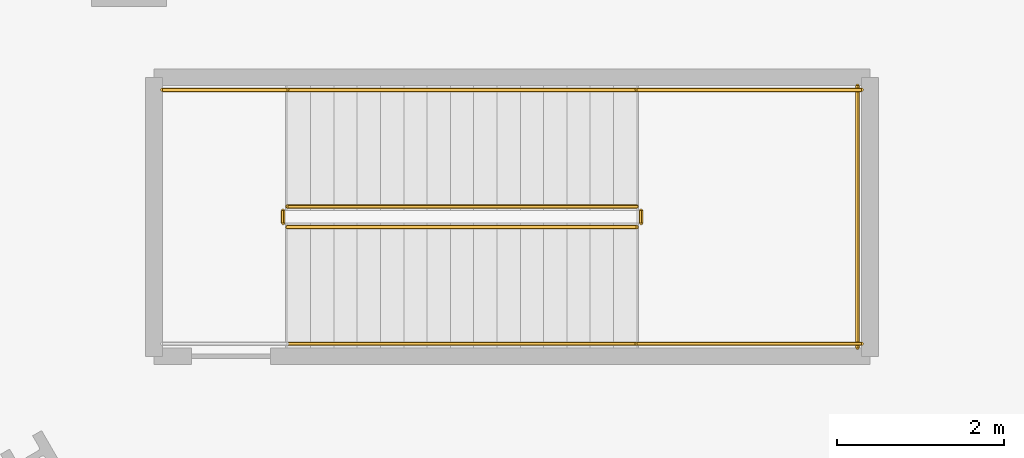
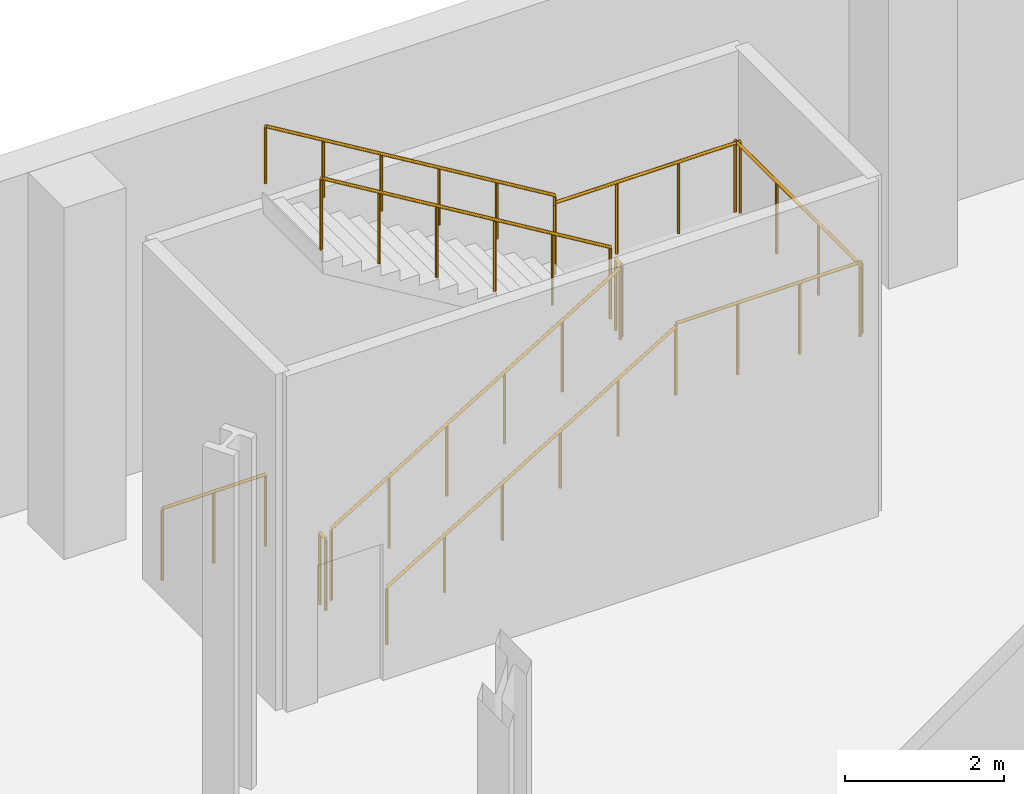
# One storey, part 15 of 16: 10 railings.
"""IFC4 building model written with IfcOpenShell, lengths in metres."""

from ifc_helpers import new_model, si_unit, direction, frame, origin, origin_2d, place, context, subcontext, project, spatial, circle, extrude, material, type_object, element, save


model = new_model("IFC4")

# Units and contexts
model_context = context("Model", 3, precision=1e-05, world=origin(), true_north=direction((0.0, 1.0)))
body_context = subcontext(model_context, "Body", "Model", "MODEL_VIEW")
ifc_project = project(units=[si_unit("LENGTHUNIT", "METRE"), si_unit("AREAUNIT", "SQUARE_METRE"), si_unit("VOLUMEUNIT", "CUBIC_METRE"), si_unit("PLANEANGLEUNIT", "RADIAN"), si_unit("MASSUNIT", "GRAM", prefix="KILO")], contexts=[model_context])

# Site, building, storey
site_placement = place(None, origin())
site = spatial("IfcSite", under=ifc_project, at=site_placement, CompositionType="ELEMENT")
building_placement = place(site_placement, origin())
building = spatial("IfcBuilding", under=site, at=building_placement, Name="Valkerne Bourse Tower", CompositionType="ELEMENT")
storey_placement = place(building_placement, frame((0.0, 0.0, -5.39990234375)))
storey = spatial("IfcBuildingStorey", under=building, at=storey_placement, Name="B1", CompositionType="ELEMENT", Elevation=-5.39990234375)

# Railings
ifc_material_1 = material(Name="Galvanised Painted Steel", Category="steel")
railing_type_1 = type_object("IfcRailingType", Name="RLG-ST-GUARD-1120", PredefinedType="GUARDRAIL", material=ifc_material_1)
railing_1_placement = place(storey_placement, frame((65.699951171875, 50.449951171875, 0.168701171875)))
element("IfcRailing", 1, at=railing_1_placement, inside=storey, type_object=railing_type_1, Name="B1 ST-P2 stair guard 1", PredefinedType="GUARDRAIL", context=body_context, shape_type="SweptSolid", body=[
    extrude(circle(Radius=0.02392578125, at=origin_2d()), frame((0.0, 0.0, 1.09619140625), z_axis=(0.856476492594, 0.0, 0.516186030065), x_axis=(0.0, 1.0, 0.0)), (0.0, 0.0, 1.0), 4.90380859375),
    extrude(circle(Radius=0.02099609375, at=origin_2d()), origin(), (0.0, 0.0, 1.0), 1.072021484375),
    extrude(circle(Radius=0.02099609375, at=origin_2d()), frame((0.840087890625, 0.0, 0.50634765625)), (0.0, 0.0, 1.0), 1.072021484375),
    extrude(circle(Radius=0.02099609375, at=origin_2d()), frame((1.679931640625, 0.0, 1.012451171875)), (0.0, 0.0, 1.0), 1.072021484375),
    extrude(circle(Radius=0.02099609375, at=origin_2d()), frame((2.52001953125, 0.0, 1.518798828125)), (0.0, 0.0, 1.0), 1.072021484375),
    extrude(circle(Radius=0.02099609375, at=origin_2d()), frame((3.35986328125, 0.0, 2.02490234375)), (0.0, 0.0, 1.0), 1.072021484375),
    extrude(circle(Radius=0.02099609375, at=origin_2d()), frame((4.199951171875, 0.0, 2.53125)), (0.0, 0.0, 1.0), 1.072021484375),
])
railing_2_placement = place(storey_placement, frame((69.949951171875, 50.5, 2.699951171875)))
element("IfcRailing", 2, at=railing_2_placement, inside=storey, type_object=railing_type_1, Name="B1 ST-P2 stair guard 2", PredefinedType="GUARDRAIL", context=body_context, shape_type="SweptSolid", body=[
    extrude(circle(Radius=0.02392578125, at=origin_2d()), frame((0.0, 0.0, 1.09619140625), z_axis=(0.0, 1.0, 0.0), x_axis=(-1.0, 0.0, 0.0)), (0.0, 0.0, 1.0), 0.14990234375),
    extrude(circle(Radius=0.02099609375, at=origin_2d()), origin(), (0.0, 0.0, 1.0), 1.072021484375),
    extrude(circle(Radius=0.02099609375, at=origin_2d()), frame((0.0, 0.14990234375, 0.0)), (0.0, 0.0, 1.0), 1.072021484375),
])
for number, where, name in (
    (3, (69.89990234375, 49.050048828125, 2.699951171875), "B1 ST-P2 stair guard 3"),
    (4, (69.89990234375, 52.10009765625, 2.699951171875), "B1 ST-P2 stair guard 4"),
):
    element("IfcRailing", number, at=place(storey_placement, frame(where)), inside=storey, type_object=railing_type_1, Name=name, PredefinedType="GUARDRAIL", context=body_context, shape_type="SweptSolid", body=[
        extrude(circle(Radius=0.02392578125, at=origin_2d()), frame((0.0, 0.0, 1.09619140625), z_axis=(1.0, 0.0, 0.0), x_axis=(0.0, 1.0, 0.0)), (0.0, 0.0, 1.0), 2.7001953125),
        extrude(circle(Radius=0.02099609375, at=origin_2d()), origin(), (0.0, 0.0, 1.0), 1.072021484375),
        extrude(circle(Radius=0.02099609375, at=origin_2d()), frame((0.900146484375, 0.0, 0.0)), (0.0, 0.0, 1.0), 1.072021484375),
        extrude(circle(Radius=0.02099609375, at=origin_2d()), frame((1.800048828125, 0.0, 0.0)), (0.0, 0.0, 1.0), 1.072021484375),
        extrude(circle(Radius=0.02099609375, at=origin_2d()), frame((2.7001953125, 0.0, 0.0)), (0.0, 0.0, 1.0), 1.072021484375),
    ])
railing_3_placement = place(storey_placement, frame((72.550048828125, 49.0, 2.699951171875)))
element("IfcRailing", 5, at=railing_3_placement, inside=storey, type_object=railing_type_1, Name="B1 ST-P2 stair guard 5", PredefinedType="GUARDRAIL", context=body_context, shape_type="SweptSolid", body=[
    extrude(circle(Radius=0.02392578125, at=origin_2d()), frame((0.0, 0.0, 1.09619140625), z_axis=(0.0, 1.0, 0.0), x_axis=(-1.0, 0.0, 0.0)), (0.0, 0.0, 1.0), 3.14990234375),
    extrude(circle(Radius=0.02099609375, at=origin_2d()), origin(), (0.0, 0.0, 1.0), 1.072021484375),
    extrude(circle(Radius=0.02099609375, at=origin_2d()), frame((0.0, 1.050048828125, 0.0)), (0.0, 0.0, 1.0), 1.072021484375),
    extrude(circle(Radius=0.02099609375, at=origin_2d()), frame((0.0, 2.099853515625, 0.0)), (0.0, 0.0, 1.0), 1.072021484375),
    extrude(circle(Radius=0.02099609375, at=origin_2d()), frame((0.0, 3.14990234375, 0.0)), (0.0, 0.0, 1.0), 1.072021484375),
])
railing_4_placement = place(storey_placement, frame((69.89990234375, 50.699951171875, 2.86865234375)))
element("IfcRailing", 6, at=railing_4_placement, inside=storey, type_object=railing_type_1, Name="B1 ST-P2 stair guard 6", PredefinedType="GUARDRAIL", context=body_context, shape_type="SweptSolid", body=[
    extrude(circle(Radius=0.02392578125, at=origin_2d()), frame((0.0, 0.0, 1.09619140625), z_axis=(-0.856476492594, 0.0, 0.516186030065), x_axis=(0.0, -1.0, 0.0)), (0.0, 0.0, 1.0), 4.90380859375),
    extrude(circle(Radius=0.02099609375, at=origin_2d()), origin(), (0.0, 0.0, 1.0), 1.072021484375),
    extrude(circle(Radius=0.02099609375, at=origin_2d()), frame((-0.840087890625, 0.0, 0.50634765625)), (0.0, 0.0, 1.0), 1.072021484375),
    extrude(circle(Radius=0.02099609375, at=origin_2d()), frame((-1.679931640625, 0.0, 1.012451171875)), (0.0, 0.0, 1.0), 1.072021484375),
    extrude(circle(Radius=0.02099609375, at=origin_2d()), frame((-2.52001953125, 0.0, 1.518798828125)), (0.0, 0.0, 1.0), 1.072021484375),
    extrude(circle(Radius=0.02099609375, at=origin_2d()), frame((-3.35986328125, 0.0, 2.02490234375)), (0.0, 0.0, 1.0), 1.072021484375),
    extrude(circle(Radius=0.02099609375, at=origin_2d()), frame((-4.199951171875, 0.0, 2.53125)), (0.0, 0.0, 1.0), 1.072021484375),
])
railing_5_placement = place(storey_placement, frame((65.64990234375, 50.5, 0.0)))
element("IfcRailing", 7, at=railing_5_placement, inside=storey, type_object=railing_type_1, Name="B1 ST-P2 stair guard 7", PredefinedType="GUARDRAIL", context=body_context, shape_type="SweptSolid", body=[
    extrude(circle(Radius=0.02392578125, at=origin_2d()), frame((0.0, 0.0, 1.09619140625), z_axis=(0.0, 1.0, 0.0), x_axis=(-1.0, 0.0, 0.0)), (0.0, 0.0, 1.0), 0.14990234375),
    extrude(circle(Radius=0.02099609375, at=origin_2d()), origin(), (0.0, 0.0, 1.0), 1.072021484375),
    extrude(circle(Radius=0.02099609375, at=origin_2d()), frame((0.0, 0.14990234375, 0.0)), (0.0, 0.0, 1.0), 1.072021484375),
])
railing_6_placement = place(storey_placement, frame((64.199951171875, 52.10009765625, 0.0)))
element("IfcRailing", 8, at=railing_6_placement, inside=storey, type_object=railing_type_1, Name="B1 ST-P2 stair guard 9", PredefinedType="GUARDRAIL", context=body_context, shape_type="SweptSolid", body=[
    extrude(circle(Radius=0.02392578125, at=origin_2d()), frame((0.0, 0.0, 1.09619140625), z_axis=(1.0, 0.0, 0.0), x_axis=(0.0, 1.0, 0.0)), (0.0, 0.0, 1.0), 1.5),
    extrude(circle(Radius=0.02099609375, at=origin_2d()), origin(), (0.0, 0.0, 1.0), 1.072021484375),
    extrude(circle(Radius=0.02099609375, at=origin_2d()), frame((0.75, 0.0, 0.0)), (0.0, 0.0, 1.0), 1.072021484375),
    extrude(circle(Radius=0.02099609375, at=origin_2d()), frame((1.5, 0.0, 0.0)), (0.0, 0.0, 1.0), 1.072021484375),
])
ifc_material_2 = material(Name="Stainless Steel AISI 316", Category="steel")
railing_type_2 = type_object("IfcRailingType", Name="RLG-ST-HANDRAIL-900", PredefinedType="HANDRAIL", material=ifc_material_2)
railing_7_placement = place(storey_placement, frame((65.699951171875, 49.050048828125, 0.33740234375)))
element("IfcRailing", 9, at=railing_7_placement, inside=storey, type_object=railing_type_2, Name="B1 ST-P2 stair handrail 1", PredefinedType="HANDRAIL", context=body_context, shape_type="SweptSolid", body=[
    extrude(circle(Radius=0.02392578125, at=origin_2d()), frame((0.0, 0.0, 0.8759765625), z_axis=(0.856476492594, 0.0, 0.516186030065), x_axis=(0.0, 1.0, 0.0)), (0.0, 0.0, 1.0), 4.90380859375),
    extrude(circle(Radius=0.02099609375, at=origin_2d()), origin(), (0.0, 0.0, 1.0), 0.851806640625),
    extrude(circle(Radius=0.02099609375, at=origin_2d()), frame((0.840087890625, 0.0, 0.50634765625)), (0.0, 0.0, 1.0), 0.851806640625),
    extrude(circle(Radius=0.02099609375, at=origin_2d()), frame((1.679931640625, 0.0, 1.012451171875)), (0.0, 0.0, 1.0), 0.851806640625),
    extrude(circle(Radius=0.02099609375, at=origin_2d()), frame((2.52001953125, 0.0, 1.518798828125)), (0.0, 0.0, 1.0), 0.851806640625),
    extrude(circle(Radius=0.02099609375, at=origin_2d()), frame((3.35986328125, 0.0, 2.02490234375)), (0.0, 0.0, 1.0), 0.851806640625),
    extrude(circle(Radius=0.02099609375, at=origin_2d()), frame((4.199951171875, 0.0, 2.53125)), (0.0, 0.0, 1.0), 0.851806640625),
])
railing_8_placement = place(storey_placement, frame((69.89990234375, 52.10009765625, 3.037353515625)))
element("IfcRailing", 10, at=railing_8_placement, inside=storey, type_object=railing_type_2, Name="B1 ST-P2 stair handrail 2", PredefinedType="HANDRAIL", context=body_context, shape_type="SweptSolid", body=[
    extrude(circle(Radius=0.02392578125, at=origin_2d()), frame((0.0, 0.0, 0.8759765625), z_axis=(-0.856476492594, 0.0, 0.516186030065), x_axis=(0.0, -1.0, 0.0)), (0.0, 0.0, 1.0), 4.90380859375),
    extrude(circle(Radius=0.02099609375, at=origin_2d()), origin(), (0.0, 0.0, 1.0), 0.851806640625),
    extrude(circle(Radius=0.02099609375, at=origin_2d()), frame((-0.840087890625, 0.0, 0.50634765625)), (0.0, 0.0, 1.0), 0.851806640625),
    extrude(circle(Radius=0.02099609375, at=origin_2d()), frame((-1.679931640625, 0.0, 1.012451171875)), (0.0, 0.0, 1.0), 0.851806640625),
    extrude(circle(Radius=0.02099609375, at=origin_2d()), frame((-2.52001953125, 0.0, 1.518798828125)), (0.0, 0.0, 1.0), 0.851806640625),
    extrude(circle(Radius=0.02099609375, at=origin_2d()), frame((-3.35986328125, 0.0, 2.02490234375)), (0.0, 0.0, 1.0), 0.851806640625),
    extrude(circle(Radius=0.02099609375, at=origin_2d()), frame((-4.199951171875, 0.0, 2.53125)), (0.0, 0.0, 1.0), 0.851806640625),
])

save(model, "model.ifc")
